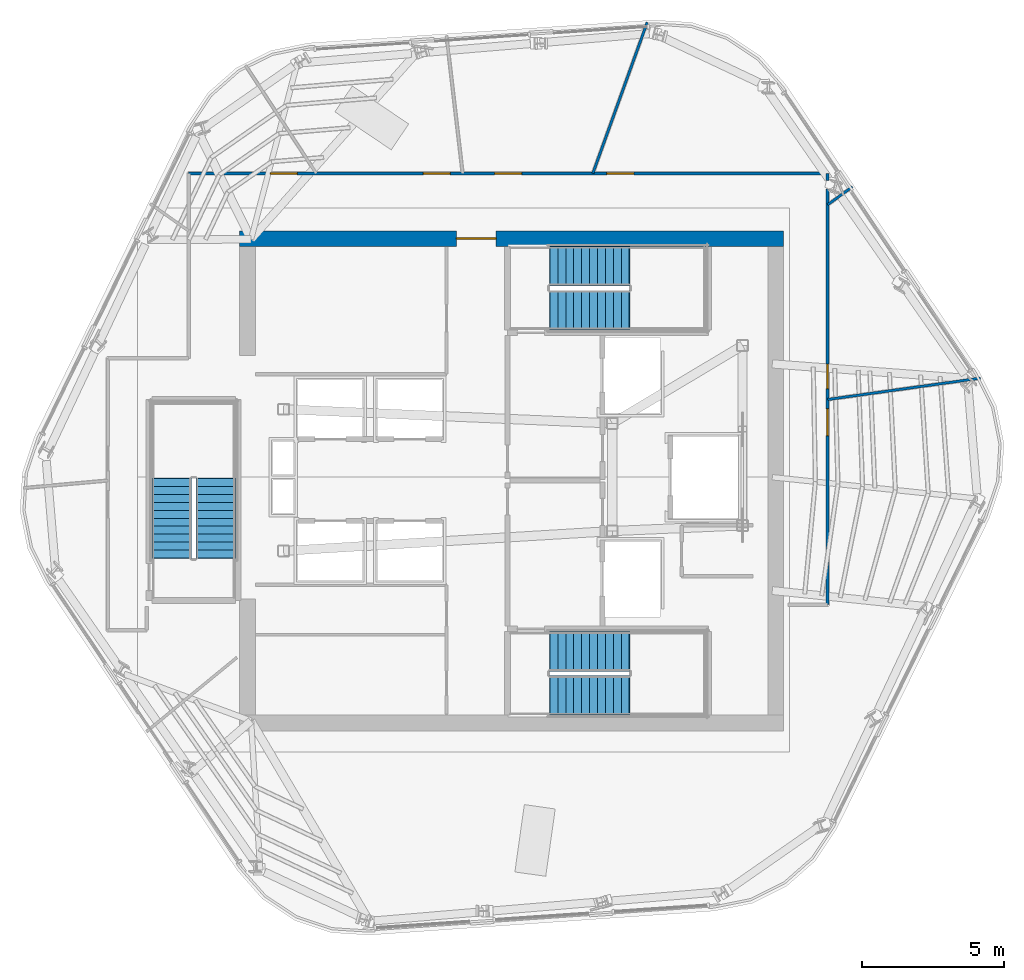
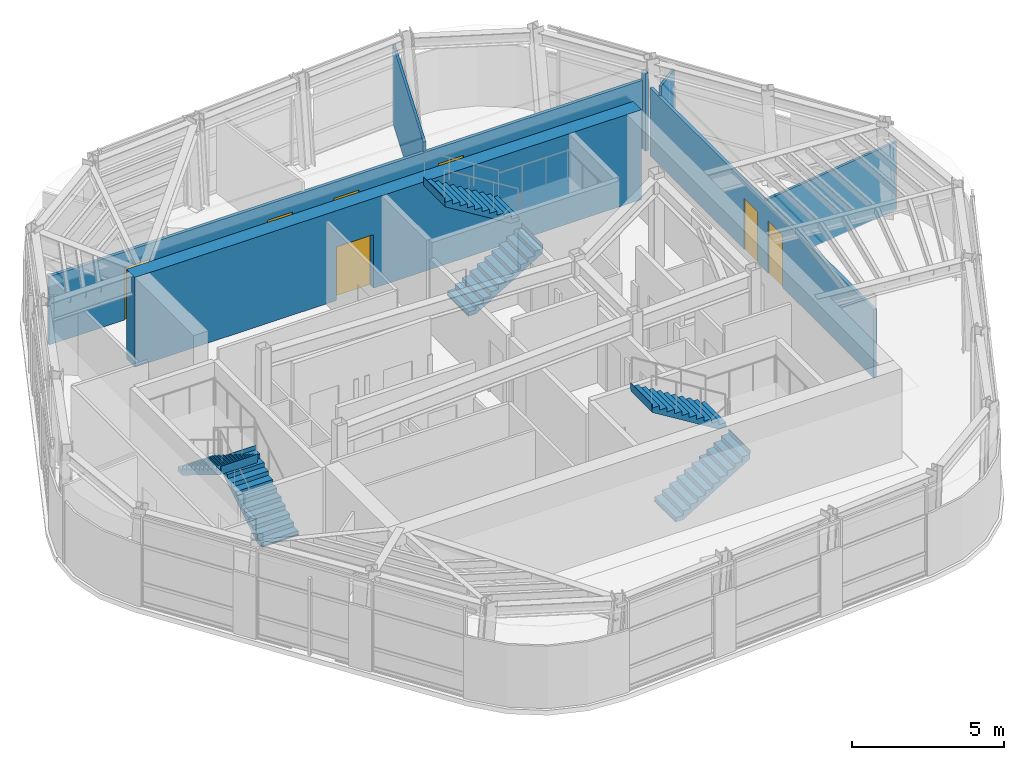
# One storey, part 7 of 14: 7 doors, 7 walls, 6 stair flights, 7 openings, 3 elements without a shape of their own.
"""IFC4 building model written with IfcOpenShell, lengths in metres."""

from ifc_helpers import new_model, si_unit, direction, frame, frame_2d, origin, place, context, subcontext, project, spatial, polyline, rectangle, outline, extrude, material, layer, layer_set, type_object, element, fill, aggregate, save


model = new_model("IFC4")

# Units and contexts
model_context = context("Model", 3, precision=1e-05, world=origin(), true_north=direction((0.0, 1.0)))
body_context = subcontext(model_context, "Body", "Model", "MODEL_VIEW")
ifc_project = project(units=[si_unit("LENGTHUNIT", "METRE"), si_unit("AREAUNIT", "SQUARE_METRE"), si_unit("VOLUMEUNIT", "CUBIC_METRE"), si_unit("PLANEANGLEUNIT", "RADIAN"), si_unit("MASSUNIT", "GRAM", prefix="KILO")], contexts=[model_context])

# Site, building, storey
site_placement = place(None, origin())
site = spatial("IfcSite", under=ifc_project, at=site_placement, CompositionType="ELEMENT")
building_placement = place(site_placement, origin())
building = spatial("IfcBuilding", under=site, at=building_placement, Name="Valkerne Bourse Tower", CompositionType="ELEMENT")
storey_placement = place(building_placement, frame((0.0, 0.0, 300.199951171875)))
storey = spatial("IfcBuildingStorey", under=building, at=storey_placement, Name="L76", CompositionType="ELEMENT", Elevation=300.199951171875)

# Wall, opening, door
ifc_material_1 = material(Name="Concrete C55/67", Category="concrete")
ifc_layer_1 = layer(ifc_material_1, 0.550048828125)
ifc_layer_set_1 = layer_set([ifc_layer_1], Name="Concrete C55/67")
wall_type_1 = type_object("IfcWallType", Name="W-CORE-550", PredefinedType="SHEAR", material=ifc_layer_set_1)
wall_1_placement = place(storey_placement, frame((37.199951171875, 35.425048828125, 0.0), z_axis=(0.0, 0.0, 1.0), x_axis=(1.0, 0.0, 0.0)))
wall_1 = element("IfcWall", 1, at=wall_1_placement, inside=storey, type_object=wall_type_1, Name="L76 Core Shear Wall NORTH", PredefinedType="SHEAR", context=body_context, shape_type="SweptSolid", body=[
    extrude(rectangle(XDim=19.199951171875, YDim=0.550048828125, at=frame_2d((9.60009765625, 0.0))), origin(), (0.0, 0.0, 1.0), 3.60009765625),
])
opening_1_placement = place(wall_1_placement, frame((7.64990234375, 0.0, 0.0)))
opening_1 = element("IfcOpeningElement", 2, at=opening_1_placement, cuts=wall_1, Name="Opening D-PL-1400", PredefinedType="OPENING", context=body_context, shape_type="SweptSolid", body=[
    extrude(rectangle(XDim=1.39990234375, YDim=2.14990234375, at=frame_2d((0.699951171875, 1.074951171875))), frame((0.0, 0.284912109375, 0.0), z_axis=(0.0, -1.0, 0.0), x_axis=(1.0, 0.0, 0.0)), (0.0, 0.0, 1.0), 0.570068359375),
])
ifc_material_2 = material(Name="Galvanised Painted Steel", Category="steel")
door_type_1 = type_object("IfcDoorType", Name="DR-PLT-1400", OperationType="DOUBLE_DOOR_SINGLE_SWING", PredefinedType="DOOR", material=ifc_material_2)
door_1_placement = place(opening_1_placement, origin())
door_1 = element("IfcDoor", 3, at=door_1_placement, inside=storey, type_object=door_type_1, Name="L76 North Passenger Lift Hall Fire Door", OperationType="DOUBLE_DOOR_SINGLE_SWING", OverallHeight=2.14990234375, OverallWidth=1.39990234375, PredefinedType="DOOR", context=body_context, shape_type="SweptSolid", body=[
    extrude(rectangle(XDim=1.39990234375, YDim=2.14990234375, at=frame_2d((0.699951171875, 1.074951171875))), frame((0.0, 0.02490234375, 0.0), z_axis=(0.0, -1.0, 0.0), x_axis=(1.0, 0.0, 0.0)), (0.0, 0.0, 1.0), 0.050048828125),
])
fill(opening_1, door_1)

# Wall, openings, doors
ifc_material_3 = material(Name="Gypsum Board Steel-Stud Partition", Category="steel")
ifc_layer_2 = layer(ifc_material_3, 0.117919921875)
ifc_layer_set_2 = layer_set([ifc_layer_2], Name="Gypsum Board Steel-Stud Partition")
wall_type_2 = type_object("IfcWallType", Name="W-CORR-140", PredefinedType="PARTITIONING", material=ifc_layer_set_2)
wall_2_placement = place(storey_placement, frame((35.39990234375, 37.719970703125, 0.0), z_axis=(0.0, 0.0, 1.0), x_axis=(1.0, 0.0, 0.0)))
wall_2 = element("IfcWall", 4, at=wall_2_placement, inside=storey, type_object=wall_type_2, Name="L76 Corridor Enclosure Wall", PredefinedType="PARTITIONING", context=body_context, shape_type="SweptSolid", body=[
    extrude(rectangle(XDim=22.550048828125, YDim=0.117919921875, at=frame_2d((11.27490234375, 0.0))), origin(), (0.0, 0.0, 1.0), 2.7314453125),
])
opening_2_placement = place(wall_2_placement, frame((8.280029296875, 0.0, 0.0)))
opening_2 = element("IfcOpeningElement", 5, at=opening_2_placement, cuts=wall_2, Name="Opening D-OF-950", PredefinedType="OPENING", context=body_context, shape_type="SweptSolid", body=[
    extrude(rectangle(XDim=0.949951171875, YDim=2.10009765625, at=frame_2d((0.47509765625, 1.050048828125))), frame((0.0, 0.06884765625, 0.0), z_axis=(0.0, -1.0, 0.0), x_axis=(1.0, 0.0, 0.0)), (0.0, 0.0, 1.0), 0.137939453125),
])
opening_3_placement = place(wall_2_placement, frame((10.800048828125, 0.0, 0.0)))
opening_3 = element("IfcOpeningElement", 6, at=opening_3_placement, cuts=wall_2, Name="Opening D-OF-950", PredefinedType="OPENING", context=body_context, shape_type="SweptSolid", body=[
    extrude(rectangle(XDim=0.949951171875, YDim=2.10009765625, at=frame_2d((0.47509765625, 1.050048828125))), frame((0.0, 0.06884765625, 0.0), z_axis=(0.0, -1.0, 0.0), x_axis=(1.0, 0.0, 0.0)), (0.0, 0.0, 1.0), 0.137939453125),
])
opening_4_placement = place(wall_2_placement, frame((14.760009765625, 0.0, 0.0)))
opening_4 = element("IfcOpeningElement", 7, at=opening_4_placement, cuts=wall_2, Name="Opening D-OF-950", PredefinedType="OPENING", context=body_context, shape_type="SweptSolid", body=[
    extrude(rectangle(XDim=0.949951171875, YDim=2.10009765625, at=frame_2d((0.47509765625, 1.050048828125))), frame((0.0, 0.06884765625, 0.0), z_axis=(0.0, -1.0, 0.0), x_axis=(1.0, 0.0, 0.0)), (0.0, 0.0, 1.0), 0.137939453125),
])
opening_5_placement = place(wall_2_placement, frame((2.8798828125, 0.0, 0.0)))
opening_5 = element("IfcOpeningElement", 8, at=opening_5_placement, cuts=wall_2, Name="Opening D-OF-950", PredefinedType="OPENING", context=body_context, shape_type="SweptSolid", body=[
    extrude(rectangle(XDim=0.949951171875, YDim=2.10009765625, at=frame_2d((0.47509765625, 1.050048828125))), frame((0.0, 0.06884765625, 0.0), z_axis=(0.0, -1.0, 0.0), x_axis=(1.0, 0.0, 0.0)), (0.0, 0.0, 1.0), 0.137939453125),
])
ifc_material_4 = material(Name="Architectural White Oak Timber", Category="wood")
door_type_2 = type_object("IfcDoorType", Name="DR-OFF-950", OperationType="NOTDEFINED", PredefinedType="DOOR", material=ifc_material_4)
door_2_placement = place(opening_2_placement, origin())
door_2 = element("IfcDoor", 9, at=door_2_placement, inside=storey, type_object=door_type_2, Name="L76 L76 Executive Economics Study Room 4 Door", OperationType="SINGLE_SWING_RIGHT", OverallHeight=2.10009765625, OverallWidth=0.949951171875, PredefinedType="DOOR", context=body_context, shape_type="SweptSolid", body=[
    extrude(rectangle(XDim=0.949951171875, YDim=2.10009765625, at=frame_2d((0.47509765625, 1.050048828125))), frame((0.0, 0.02490234375, 0.0), z_axis=(0.0, -1.0, 0.0), x_axis=(1.0, 0.0, 0.0)), (0.0, 0.0, 1.0), 0.050048828125),
])
fill(opening_2, door_2)
door_3_placement = place(opening_3_placement, origin())
door_3 = element("IfcDoor", 10, at=door_3_placement, inside=storey, type_object=door_type_2, Name="L76 L76 Hospitality Catering Kitchen 5 Door", OperationType="SINGLE_SWING_RIGHT", OverallHeight=2.10009765625, OverallWidth=0.949951171875, PredefinedType="DOOR", context=body_context, shape_type="SweptSolid", body=[
    extrude(rectangle(XDim=0.949951171875, YDim=2.10009765625, at=frame_2d((0.47509765625, 1.050048828125))), frame((0.0, 0.02490234375, 0.0), z_axis=(0.0, -1.0, 0.0), x_axis=(1.0, 0.0, 0.0)), (0.0, 0.0, 1.0), 0.050048828125),
])
fill(opening_3, door_3)
door_4_placement = place(opening_4_placement, origin())
door_4 = element("IfcDoor", 11, at=door_4_placement, inside=storey, type_object=door_type_2, Name="L76 L76 Hospitality Catering Kitchen 6 Door", OperationType="SINGLE_SWING_RIGHT", OverallHeight=2.10009765625, OverallWidth=0.949951171875, PredefinedType="DOOR", context=body_context, shape_type="SweptSolid", body=[
    extrude(rectangle(XDim=0.949951171875, YDim=2.10009765625, at=frame_2d((0.47509765625, 1.050048828125))), frame((0.0, 0.02490234375, 0.0), z_axis=(0.0, -1.0, 0.0), x_axis=(1.0, 0.0, 0.0)), (0.0, 0.0, 1.0), 0.050048828125),
])
fill(opening_4, door_4)
door_5_placement = place(opening_5_placement, origin())
door_5 = element("IfcDoor", 12, at=door_5_placement, inside=storey, type_object=door_type_2, Name="L76 L76 Exchange Security Control Room 7 Door", OperationType="SINGLE_SWING_RIGHT", OverallHeight=2.10009765625, OverallWidth=0.949951171875, PredefinedType="DOOR", context=body_context, shape_type="SweptSolid", body=[
    extrude(rectangle(XDim=0.949951171875, YDim=2.10009765625, at=frame_2d((0.47509765625, 1.050048828125))), frame((0.0, 0.02490234375, 0.0), z_axis=(0.0, -1.0, 0.0), x_axis=(1.0, 0.0, 0.0)), (0.0, 0.0, 1.0), 0.050048828125),
])
fill(opening_5, door_5)

# Wall
wall_3_placement = place(storey_placement, frame((57.949951171875, 37.719970703125, 0.0), z_axis=(0.0, 0.0, 1.0), x_axis=(0.0, -1.0, 0.0)))
element("IfcWall", 13, at=wall_3_placement, inside=storey, type_object=wall_type_2, Name="L76 Corridor Enclosure Wall", PredefinedType="PARTITIONING", context=body_context, shape_type="SweptSolid", body=[
    extrude(rectangle(XDim=0.244384765625, YDim=0.117919921875, at=frame_2d((0.1220703125, 0.0))), origin(), (0.0, 0.0, 1.0), 3.114990234375),
])

# Wall, openings, doors
wall_4_placement = place(storey_placement, frame((57.949951171875, 37.178955078125, 0.0), z_axis=(0.0, 0.0, 1.0), x_axis=(0.0, -1.0, 0.0)))
wall_4 = element("IfcWall", 14, at=wall_4_placement, inside=storey, type_object=wall_type_2, Name="L76 Corridor Enclosure Wall", PredefinedType="PARTITIONING", context=body_context, shape_type="SweptSolid", body=[
    extrude(rectangle(XDim=14.678955078125, YDim=0.117919921875, at=frame_2d((7.33935546875, 0.0))), origin(), (0.0, 0.0, 1.0), 2.7314453125),
])
opening_6_placement = place(wall_4_placement, frame((6.189453125, 0.0, 0.0)))
opening_6 = element("IfcOpeningElement", 15, at=opening_6_placement, cuts=wall_4, Name="Opening D-WC-900", PredefinedType="OPENING", context=body_context, shape_type="SweptSolid", body=[
    extrude(rectangle(XDim=0.860107421875, YDim=2.050048828125, at=frame_2d((0.43017578125, 1.02490234375))), frame((0.0, 0.06884765625, 0.0), z_axis=(0.0, -1.0, 0.0), x_axis=(1.0, 0.0, 0.0)), (0.0, 0.0, 1.0), 0.137939453125),
])
opening_7_placement = place(wall_4_placement, frame((7.764404296875, 0.0, 0.0)))
opening_7 = element("IfcOpeningElement", 16, at=opening_7_placement, cuts=wall_4, Name="Opening D-OF-950", PredefinedType="OPENING", context=body_context, shape_type="SweptSolid", body=[
    extrude(rectangle(XDim=0.949951171875, YDim=2.10009765625, at=frame_2d((0.47509765625, 1.050048828125))), frame((0.0, 0.06884765625, 0.0), z_axis=(0.0, -1.0, 0.0), x_axis=(1.0, 0.0, 0.0)), (0.0, 0.0, 1.0), 0.137939453125),
])
door_6_placement = place(opening_7_placement, origin())
door_6 = element("IfcDoor", 17, at=door_6_placement, inside=storey, type_object=door_type_2, Name="L76 L76 Exchange Security Control Room 8 Door", OperationType="SINGLE_SWING_RIGHT", OverallHeight=2.10009765625, OverallWidth=0.949951171875, PredefinedType="DOOR", context=body_context, shape_type="SweptSolid", body=[
    extrude(rectangle(XDim=0.949951171875, YDim=2.10009765625, at=frame_2d((0.47509765625, 1.050048828125))), frame((0.0, 0.02490234375, 0.0), z_axis=(0.0, -1.0, 0.0), x_axis=(1.0, 0.0, 0.0)), (0.0, 0.0, 1.0), 0.050048828125),
])
fill(opening_7, door_6)
door_type_3 = type_object("IfcDoorType", Name="DR-WC-900", OperationType="NOTDEFINED", PredefinedType="DOOR", material=ifc_material_4)
door_7_placement = place(opening_6_placement, origin())
door_7 = element("IfcDoor", 18, at=door_7_placement, inside=storey, type_object=door_type_3, Name="L76 L76 Men Bathroom WC 1 Door", OperationType="SINGLE_SWING_RIGHT", OverallHeight=2.050048828125, OverallWidth=0.860107421875, PredefinedType="DOOR", context=body_context, shape_type="SweptSolid", body=[
    extrude(rectangle(XDim=0.860107421875, YDim=2.050048828125, at=frame_2d((0.43017578125, 1.02490234375))), frame((0.0, 0.02490234375, 0.0), z_axis=(0.0, -1.0, 0.0), x_axis=(1.0, 0.0, 0.0)), (0.0, 0.0, 1.0), 0.050048828125),
])
fill(opening_6, door_7)

# Walls
ifc_layer_3 = layer(ifc_material_3, 0.092041015625)
ifc_layer_set_3 = layer_set([ifc_layer_3], Name="Gypsum Board Steel-Stud Partition")
wall_type_3 = type_object("IfcWallType", Name="W-PART-115", PredefinedType="PARTITIONING", material=ifc_layer_set_3)
wall_5_placement = place(storey_placement, frame((49.665283203125, 37.72509765625, 0.0), z_axis=(0.0, 0.0, 1.0), x_axis=(0.338727099376, 0.940884664637, 0.0)))
element("IfcWall", 19, at=wall_5_placement, inside=storey, type_object=wall_type_3, Name="L76 Suite Partition P01", PredefinedType="PARTITIONING", context=body_context, shape_type="SweptSolid", body=[
    extrude(rectangle(XDim=5.66455078125, YDim=0.092041015625, at=frame_2d((2.832275390625, 0.0))), origin(), (0.0, 0.0, 1.0), 3.114990234375),
])
wall_6_placement = place(storey_placement, frame((57.955078125, 29.743896484375, 0.0), z_axis=(0.0, 0.0, 1.0), x_axis=(0.990363295262, 0.138493838844, 0.0)))
element("IfcWall", 20, at=wall_6_placement, inside=storey, type_object=wall_type_3, Name="L76 Suite Partition P07", PredefinedType="PARTITIONING", context=body_context, shape_type="SweptSolid", body=[
    extrude(rectangle(XDim=5.44189453125, YDim=0.092041015625, at=frame_2d((2.720947265625, 0.0))), origin(), (0.0, 0.0, 1.0), 2.7314453125),
])
wall_7_placement = place(storey_placement, frame((57.955078125, 36.61962890625, 0.0), z_axis=(0.0, 0.0, 1.0), x_axis=(0.809648205309, 0.586915482536, 0.0)))
element("IfcWall", 21, at=wall_7_placement, inside=storey, type_object=wall_type_3, Name="L76 Suite Partition P08", PredefinedType="PARTITIONING", context=body_context, shape_type="SweptSolid", body=[
    extrude(rectangle(XDim=1.0751953125, YDim=0.092041015625, at=frame_2d((0.53759765625, 0.0))), origin(), (0.0, 0.0, 1.0), 3.114990234375),
])

# Stair, stair flights
ifc_material_5 = material(Name="Concrete C40/50", Category="concrete")
stair_type = type_object("IfcStairType", Name="ST-CORE-1400", PredefinedType="HALF_TURN_STAIR", material=ifc_material_5)
stair_1_placement = place(storey_placement, origin())
stair_1 = element("IfcStair", 22, at=stair_1_placement, inside=storey, type_object=stair_type, Name="L76 ST-1", PredefinedType="HALF_TURN_STAIR")
stair_flight_type = type_object("IfcStairFlightType", Name="STF-CORE-1400", PredefinedType="STRAIGHT", material=ifc_material_5)
stair_flight_1_placement = place(storey_placement, frame((48.14990234375, 19.300048828125, 0.0), z_axis=(0.0, 0.0, 1.0), x_axis=(1.0, 0.0, 0.0)))
stair_flight_1 = element("IfcStairFlight", 23, at=stair_flight_1_placement, type_object=stair_flight_type, Name="ST-1 flight 1", NumberOfRisers=11, NumberOfTreads=10, PredefinedType="STRAIGHT", RiserHeight=0.172727273, TreadLength=0.28, context=body_context, shape_type="SweptSolid", body=[
    extrude(outline(polyline([(-0.02001953125, 0.0), (-0.02001953125, 0.044921875), (0.0, 0.044921875), (0.0, 0.172607421875), (0.280029296875, 0.172607421875), (0.280029296875, 0.345458984375), (0.56005859375, 0.345458984375), (0.56005859375, 0.51806640625), (0.840087890625, 0.51806640625), (0.840087890625, 0.69091796875), (1.1201171875, 0.69091796875), (1.1201171875, 0.863525390625), (1.39990234375, 0.863525390625), (1.39990234375, 1.036376953125), (1.679931640625, 1.036376953125), (1.679931640625, 1.208984375), (1.9599609375, 1.208984375), (1.9599609375, 1.3818359375), (2.239990234375, 1.3818359375), (2.239990234375, 1.554443359375), (2.52001953125, 1.554443359375), (2.52001953125, 1.727294921875), (2.800048828125, 1.727294921875), (2.800048828125, 1.89990234375), (2.820068359375, 1.89990234375), (2.820068359375, 1.780029296875), (2.800048828125, 1.551025390625), (0.285400390625, 0.0), (-0.02001953125, 0.0)])), frame((0.0, 0.699951171875, 0.0), z_axis=(0.0, -1.0, 0.0), x_axis=(1.0, 0.0, 0.0)), (0.0, 0.0, 1.0), 1.39990234375),
])
stair_flight_2_placement = place(storey_placement, frame((50.949951171875, 20.85009765625, 1.900146484375), z_axis=(0.0, 0.0, 1.0), x_axis=(-1.0, 0.0, 0.0)))
stair_flight_2 = element("IfcStairFlight", 24, at=stair_flight_2_placement, type_object=stair_flight_type, Name="ST-1 flight 2", NumberOfRisers=11, NumberOfTreads=10, PredefinedType="STRAIGHT", RiserHeight=0.172727273, TreadLength=0.28, context=body_context, shape_type="SweptSolid", body=[
    extrude(outline(polyline([(-0.02001953125, 0.0), (-0.02001953125, 0.044921875), (0.0, 0.044921875), (0.0, 0.172607421875), (0.280029296875, 0.172607421875), (0.280029296875, 0.345458984375), (0.56005859375, 0.345458984375), (0.56005859375, 0.51806640625), (0.840087890625, 0.51806640625), (0.840087890625, 0.69091796875), (1.1201171875, 0.69091796875), (1.1201171875, 0.863525390625), (1.39990234375, 0.863525390625), (1.39990234375, 1.036376953125), (1.679931640625, 1.036376953125), (1.679931640625, 1.208984375), (1.9599609375, 1.208984375), (1.9599609375, 1.3818359375), (2.239990234375, 1.3818359375), (2.239990234375, 1.554443359375), (2.52001953125, 1.554443359375), (2.52001953125, 1.727294921875), (2.800048828125, 1.727294921875), (2.800048828125, 1.89990234375), (2.820068359375, 1.89990234375), (2.820068359375, 1.780029296875), (2.800048828125, 1.551025390625), (0.285400390625, 0.0), (-0.02001953125, 0.0)])), frame((0.0, 0.699951171875, 0.0), z_axis=(0.0, -1.0, 0.0), x_axis=(1.0, 0.0, 0.0)), (0.0, 0.0, 1.0), 1.39990234375),
])
aggregate(stair_1, [stair_flight_1, stair_flight_2])

stair_2_placement = place(storey_placement, origin())
stair_2 = element("IfcStair", 25, at=stair_2_placement, inside=storey, type_object=stair_type, Name="L76 ST-2", PredefinedType="HALF_TURN_STAIR")
stair_flight_3_placement = place(storey_placement, frame((48.14990234375, 32.89990234375, 0.0), z_axis=(0.0, 0.0, 1.0), x_axis=(1.0, 0.0, 0.0)))
stair_flight_3 = element("IfcStairFlight", 26, at=stair_flight_3_placement, type_object=stair_flight_type, Name="ST-2 flight 1", NumberOfRisers=11, NumberOfTreads=10, PredefinedType="STRAIGHT", RiserHeight=0.172727273, TreadLength=0.28, context=body_context, shape_type="SweptSolid", body=[
    extrude(outline(polyline([(-0.02001953125, 0.0), (-0.02001953125, 0.044921875), (0.0, 0.044921875), (0.0, 0.172607421875), (0.280029296875, 0.172607421875), (0.280029296875, 0.345458984375), (0.56005859375, 0.345458984375), (0.56005859375, 0.51806640625), (0.840087890625, 0.51806640625), (0.840087890625, 0.69091796875), (1.1201171875, 0.69091796875), (1.1201171875, 0.863525390625), (1.39990234375, 0.863525390625), (1.39990234375, 1.036376953125), (1.679931640625, 1.036376953125), (1.679931640625, 1.208984375), (1.9599609375, 1.208984375), (1.9599609375, 1.3818359375), (2.239990234375, 1.3818359375), (2.239990234375, 1.554443359375), (2.52001953125, 1.554443359375), (2.52001953125, 1.727294921875), (2.800048828125, 1.727294921875), (2.800048828125, 1.89990234375), (2.820068359375, 1.89990234375), (2.820068359375, 1.780029296875), (2.800048828125, 1.551025390625), (0.285400390625, 0.0), (-0.02001953125, 0.0)])), frame((0.0, 0.699951171875, 0.0), z_axis=(0.0, -1.0, 0.0), x_axis=(1.0, 0.0, 0.0)), (0.0, 0.0, 1.0), 1.39990234375),
])
stair_flight_4_placement = place(storey_placement, frame((50.949951171875, 34.449951171875, 1.900146484375), z_axis=(0.0, 0.0, 1.0), x_axis=(-1.0, 0.0, 0.0)))
stair_flight_4 = element("IfcStairFlight", 27, at=stair_flight_4_placement, type_object=stair_flight_type, Name="ST-2 flight 2", NumberOfRisers=11, NumberOfTreads=10, PredefinedType="STRAIGHT", RiserHeight=0.172727273, TreadLength=0.28, context=body_context, shape_type="SweptSolid", body=[
    extrude(outline(polyline([(-0.02001953125, 0.0), (-0.02001953125, 0.044921875), (0.0, 0.044921875), (0.0, 0.172607421875), (0.280029296875, 0.172607421875), (0.280029296875, 0.345458984375), (0.56005859375, 0.345458984375), (0.56005859375, 0.51806640625), (0.840087890625, 0.51806640625), (0.840087890625, 0.69091796875), (1.1201171875, 0.69091796875), (1.1201171875, 0.863525390625), (1.39990234375, 0.863525390625), (1.39990234375, 1.036376953125), (1.679931640625, 1.036376953125), (1.679931640625, 1.208984375), (1.9599609375, 1.208984375), (1.9599609375, 1.3818359375), (2.239990234375, 1.3818359375), (2.239990234375, 1.554443359375), (2.52001953125, 1.554443359375), (2.52001953125, 1.727294921875), (2.800048828125, 1.727294921875), (2.800048828125, 1.89990234375), (2.820068359375, 1.89990234375), (2.820068359375, 1.780029296875), (2.800048828125, 1.551025390625), (0.285400390625, 0.0), (-0.02001953125, 0.0)])), frame((0.0, 0.699951171875, 0.0), z_axis=(0.0, -1.0, 0.0), x_axis=(1.0, 0.0, 0.0)), (0.0, 0.0, 1.0), 1.39990234375),
])
aggregate(stair_2, [stair_flight_3, stair_flight_4])

stair_3_placement = place(storey_placement, origin())
stair_3 = element("IfcStair", 28, at=stair_3_placement, inside=storey, type_object=stair_type, Name="L76 ST-3", PredefinedType="HALF_TURN_STAIR")
stair_flight_5_placement = place(storey_placement, frame((36.35009765625, 24.14990234375, 0.0), z_axis=(0.0, 0.0, 1.0), x_axis=(0.0, 1.0, 0.0)))
stair_flight_5 = element("IfcStairFlight", 29, at=stair_flight_5_placement, type_object=stair_flight_type, Name="ST-3 flight 1", NumberOfRisers=11, NumberOfTreads=10, PredefinedType="STRAIGHT", RiserHeight=0.172727273, TreadLength=0.28, context=body_context, shape_type="SweptSolid", body=[
    extrude(outline(polyline([(-0.02001953125, 0.0), (-0.02001953125, 0.044921875), (0.0, 0.044921875), (0.0, 0.172607421875), (0.280029296875, 0.172607421875), (0.280029296875, 0.345458984375), (0.56005859375, 0.345458984375), (0.56005859375, 0.51806640625), (0.840087890625, 0.51806640625), (0.840087890625, 0.69091796875), (1.1201171875, 0.69091796875), (1.1201171875, 0.863525390625), (1.39990234375, 0.863525390625), (1.39990234375, 1.036376953125), (1.679931640625, 1.036376953125), (1.679931640625, 1.208984375), (1.9599609375, 1.208984375), (1.9599609375, 1.3818359375), (2.239990234375, 1.3818359375), (2.239990234375, 1.554443359375), (2.52001953125, 1.554443359375), (2.52001953125, 1.727294921875), (2.800048828125, 1.727294921875), (2.800048828125, 1.89990234375), (2.820068359375, 1.89990234375), (2.820068359375, 1.780029296875), (2.800048828125, 1.551025390625), (0.285400390625, 0.0), (-0.02001953125, 0.0)])), frame((0.0, 0.699951171875, 0.0), z_axis=(0.0, -1.0, 0.0), x_axis=(1.0, 0.0, 0.0)), (0.0, 0.0, 1.0), 1.39990234375),
])
stair_flight_6_placement = place(storey_placement, frame((34.800048828125, 26.949951171875, 1.900146484375), z_axis=(0.0, 0.0, 1.0), x_axis=(0.0, -1.0, 0.0)))
stair_flight_6 = element("IfcStairFlight", 30, at=stair_flight_6_placement, type_object=stair_flight_type, Name="ST-3 flight 2", NumberOfRisers=11, NumberOfTreads=10, PredefinedType="STRAIGHT", RiserHeight=0.172727273, TreadLength=0.28, context=body_context, shape_type="SweptSolid", body=[
    extrude(outline(polyline([(-0.02001953125, 0.0), (-0.02001953125, 0.044921875), (0.0, 0.044921875), (0.0, 0.172607421875), (0.280029296875, 0.172607421875), (0.280029296875, 0.345458984375), (0.56005859375, 0.345458984375), (0.56005859375, 0.51806640625), (0.840087890625, 0.51806640625), (0.840087890625, 0.69091796875), (1.1201171875, 0.69091796875), (1.1201171875, 0.863525390625), (1.39990234375, 0.863525390625), (1.39990234375, 1.036376953125), (1.679931640625, 1.036376953125), (1.679931640625, 1.208984375), (1.9599609375, 1.208984375), (1.9599609375, 1.3818359375), (2.239990234375, 1.3818359375), (2.239990234375, 1.554443359375), (2.52001953125, 1.554443359375), (2.52001953125, 1.727294921875), (2.800048828125, 1.727294921875), (2.800048828125, 1.89990234375), (2.820068359375, 1.89990234375), (2.820068359375, 1.780029296875), (2.800048828125, 1.551025390625), (0.285400390625, 0.0), (-0.02001953125, 0.0)])), frame((0.0, 0.699951171875, 0.0), z_axis=(0.0, -1.0, 0.0), x_axis=(1.0, 0.0, 0.0)), (0.0, 0.0, 1.0), 1.39990234375),
])
aggregate(stair_3, [stair_flight_5, stair_flight_6])

save(model, "model.ifc")
